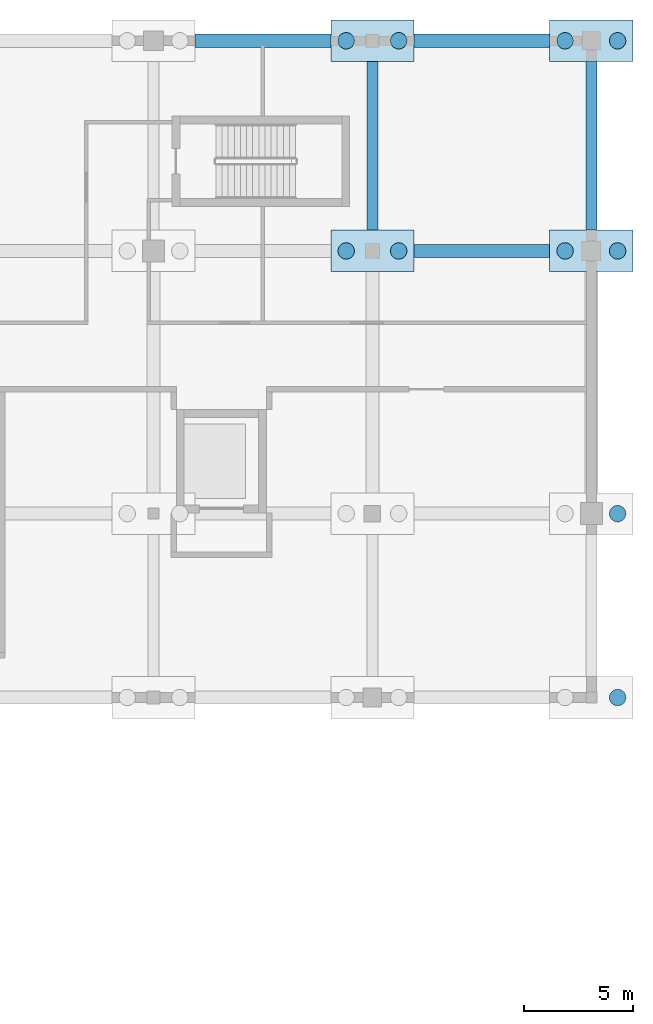
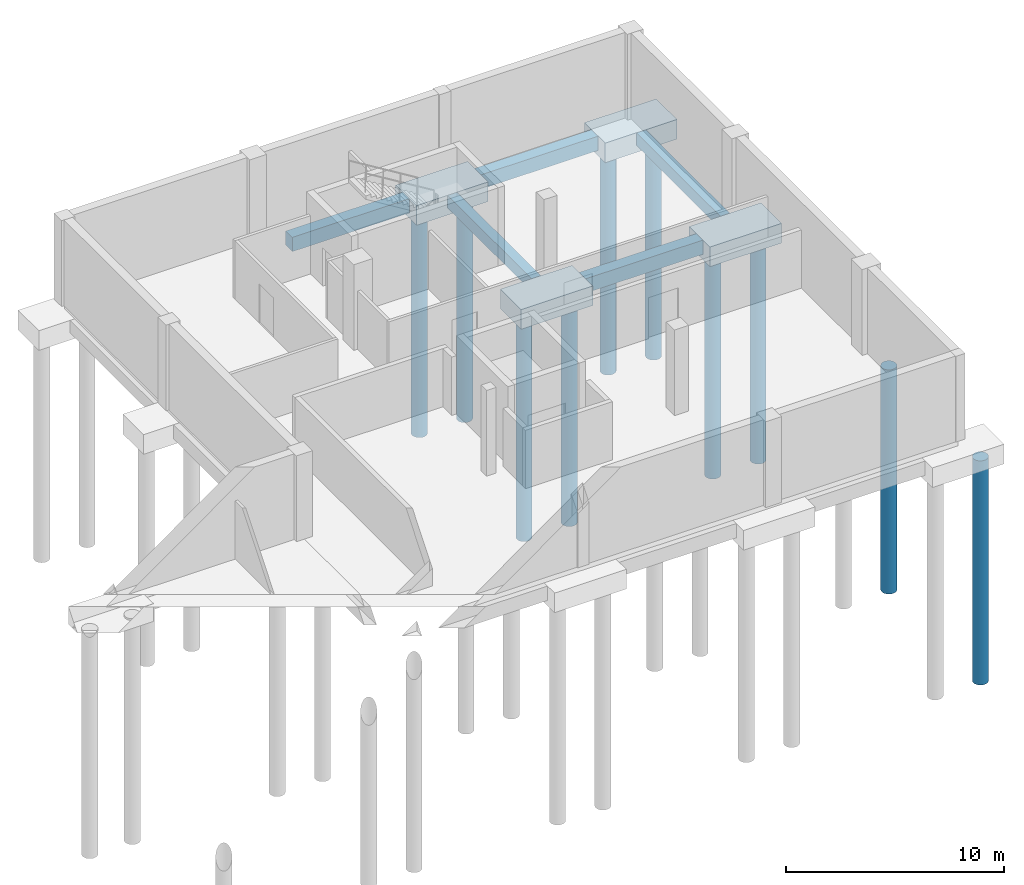
# One storey, part 7 of 28: 10 piles, 9 footings.
"""IFC4 building model written with IfcOpenShell, lengths in metres."""

from ifc_helpers import new_model, si_unit, direction, frame, origin, origin_2d, place, context, subcontext, project, spatial, rectangle, circle, extrude, material, layer, layer_set, material_profile, profile_set, type_object, element, save


model = new_model("IFC4")

# Units and contexts
model_context = context("Model", 3, precision=1e-05, world=origin(), true_north=direction((0.0, 1.0)))
body_context = subcontext(model_context, "Body", "Model", "MODEL_VIEW")
ifc_project = project(units=[si_unit("LENGTHUNIT", "METRE"), si_unit("AREAUNIT", "SQUARE_METRE"), si_unit("VOLUMEUNIT", "CUBIC_METRE"), si_unit("PLANEANGLEUNIT", "RADIAN"), si_unit("MASSUNIT", "GRAM", prefix="KILO")], contexts=[model_context])

# Site, building, storey
site_placement = place(None, origin())
site = spatial("IfcSite", under=ifc_project, at=site_placement, CompositionType="ELEMENT")
building_placement = place(site_placement, origin())
building = spatial("IfcBuilding", under=site, at=building_placement, Name="Zereglee Splitstone Museum", CompositionType="ELEMENT")
storey_placement = place(building_placement, frame((0.0, 0.0, -4.800048828125)))
storey = spatial("IfcBuildingStorey", under=building, at=storey_placement, Name="B1", CompositionType="ELEMENT", Elevation=-4.800048828125)

# Footings
ifc_material = material(Name="Concrete C40/50", Category="concrete")
footing_type_1 = type_object("IfcFootingType", Name="FB-03", PredefinedType="FOOTING_BEAM", material=ifc_material)
for number, where, z_axis, x_axis, name in (
    (1, (316.0, 55.199951171875, -1.14990234375), (0.0, 0.0, 1.0), (0.0, 1.0, 0.0), "Ground Tie Beam FBY-253"),
    (2, (326.0, 55.199951171875, -1.14990234375), (0.0, 0.0, 1.0), (0.0, 1.0, 0.0), "Ground Tie Beam FBY-256"),
):
    element("IfcFooting", number, at=place(storey_placement, frame(where, z_axis=z_axis, x_axis=x_axis)), inside=storey, type_object=footing_type_1, Name=name, PredefinedType="FOOTING_BEAM", context=body_context, shape_type="SweptSolid", body=[
        extrude(rectangle(XDim=7.699951171875, YDim=0.5, at=origin_2d()), origin(), (0.0, 0.0, 1.0), 0.699951171875),
    ])
footing_type_2 = type_object("IfcFootingType", Name="FB-02", PredefinedType="FOOTING_BEAM", material=ifc_material)
for number, where, z_axis, x_axis, name in (
    (3, (321.0, 50.39990234375, -1.25), (0.0, 0.0, 1.0), (1.0, 0.0, 0.0), "Ground Tie Beam FBX-131"),
    (4, (311.0, 60.0, -1.25), (0.0, 0.0, 1.0), (1.0, 0.0, 0.0), "Ground Tie Beam FBX-136"),
    (5, (321.0, 60.0, -1.25), (0.0, 0.0, 1.0), (1.0, 0.0, 0.0), "Ground Tie Beam FBX-137"),
):
    element("IfcFooting", number, at=place(storey_placement, frame(where, z_axis=z_axis, x_axis=x_axis)), inside=storey, type_object=footing_type_2, Name=name, PredefinedType="FOOTING_BEAM", context=body_context, shape_type="SweptSolid", body=[
        extrude(rectangle(XDim=6.199951171875, YDim=0.60009765625, at=origin_2d()), origin(), (0.0, 0.0, 1.0), 0.800048828125),
    ])
ifc_layer = layer(ifc_material, 1.10009765625)
ifc_layer_set = layer_set([ifc_layer], Name="Concrete C40/50")
footing_type_3 = type_object("IfcFootingType", Name="PC-06", PredefinedType="PILE_CAP", material=ifc_layer_set)
for number, where, z_axis, x_axis, name in (
    (6, (316.0, 50.39990234375, -1.550048828125), (0.0, 0.0, 1.0), (1.0, 0.0, 0.0), "Pile Cap at (316.0, 50.4)"),
    (7, (316.0, 60.0, -1.550048828125), (0.0, 0.0, 1.0), (1.0, 0.0, 0.0), "Pile Cap at (316.0, 60.0)"),
    (8, (326.0, 50.39990234375, -1.550048828125), (0.0, 0.0, 1.0), (1.0, 0.0, 0.0), "Pile Cap at (326.0, 50.4)"),
    (9, (326.0, 60.0, -1.550048828125), (0.0, 0.0, 1.0), (1.0, 0.0, 0.0), "Pile Cap at (326.0, 60.0)"),
):
    element("IfcFooting", number, at=place(storey_placement, frame(where, z_axis=z_axis, x_axis=x_axis)), inside=storey, type_object=footing_type_3, Name=name, PredefinedType="PILE_CAP", context=body_context, shape_type="SweptSolid", body=[
        extrude(rectangle(XDim=3.800048828125, YDim=1.89990234375, at=origin_2d()), origin(), (0.0, 0.0, 1.0), 1.10009765625),
    ])

# Piles
ifc_material_profile = material_profile(ifc_material, circle(Radius=0.375, at=origin_2d()), Name="PILE D750")
ifc_profile_set = profile_set([ifc_material_profile], Name="Concrete C40/50")
pile_type = type_object("IfcPileType", Name="PL-D07", PredefinedType="BORED", material=ifc_profile_set)
for number, where, z_axis, x_axis, name in (
    (10, (314.800048828125, 50.39990234375, -1.449951171875), (0.0, 0.0, -1.0), (1.0, 0.0, 0.0), "Bored Pile 3160-504-1"),
    (11, (317.199951171875, 50.39990234375, -1.449951171875), (0.0, 0.0, -1.0), (1.0, 0.0, 0.0), "Bored Pile 3160-504-2"),
    (12, (314.800048828125, 60.0, -1.449951171875), (0.0, 0.0, -1.0), (1.0, 0.0, 0.0), "Bored Pile 3160-600-1"),
    (13, (317.199951171875, 60.0, -1.449951171875), (0.0, 0.0, -1.0), (1.0, 0.0, 0.0), "Bored Pile 3160-600-2"),
    (14, (327.199951171875, 30.0, -1.449951171875), (0.0, 0.0, -1.0), (1.0, 0.0, 0.0), "Bored Pile 3260-300-2"),
    (15, (327.199951171875, 38.39990234375, -1.449951171875), (0.0, 0.0, -1.0), (1.0, 0.0, 0.0), "Bored Pile 3260-384-2"),
    (16, (324.800048828125, 50.39990234375, -1.449951171875), (0.0, 0.0, -1.0), (1.0, 0.0, 0.0), "Bored Pile 3260-504-1"),
    (17, (327.199951171875, 50.39990234375, -1.449951171875), (0.0, 0.0, -1.0), (1.0, 0.0, 0.0), "Bored Pile 3260-504-2"),
    (18, (324.800048828125, 60.0, -1.449951171875), (0.0, 0.0, -1.0), (1.0, 0.0, 0.0), "Bored Pile 3260-600-1"),
    (19, (327.199951171875, 60.0, -1.449951171875), (0.0, 0.0, -1.0), (1.0, 0.0, 0.0), "Bored Pile 3260-600-2"),
):
    element("IfcPile", number, at=place(storey_placement, frame(where, z_axis=z_axis, x_axis=x_axis)), inside=storey, type_object=pile_type, Name=name, PredefinedType="BORED", context=body_context, shape_type="SweptSolid", body=[
        extrude(circle(Radius=0.375, at=origin_2d()), origin(), (0.0, 0.0, 1.0), 12.550048828125),
    ])

save(model, "model.ifc")
